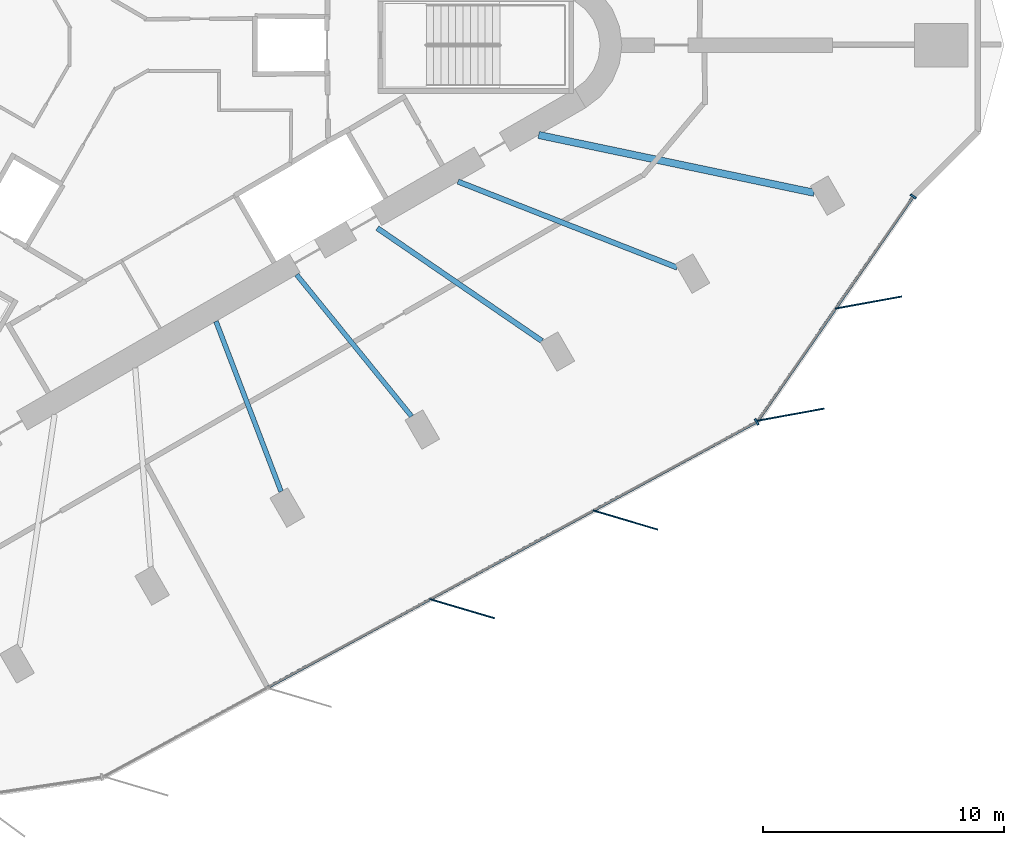
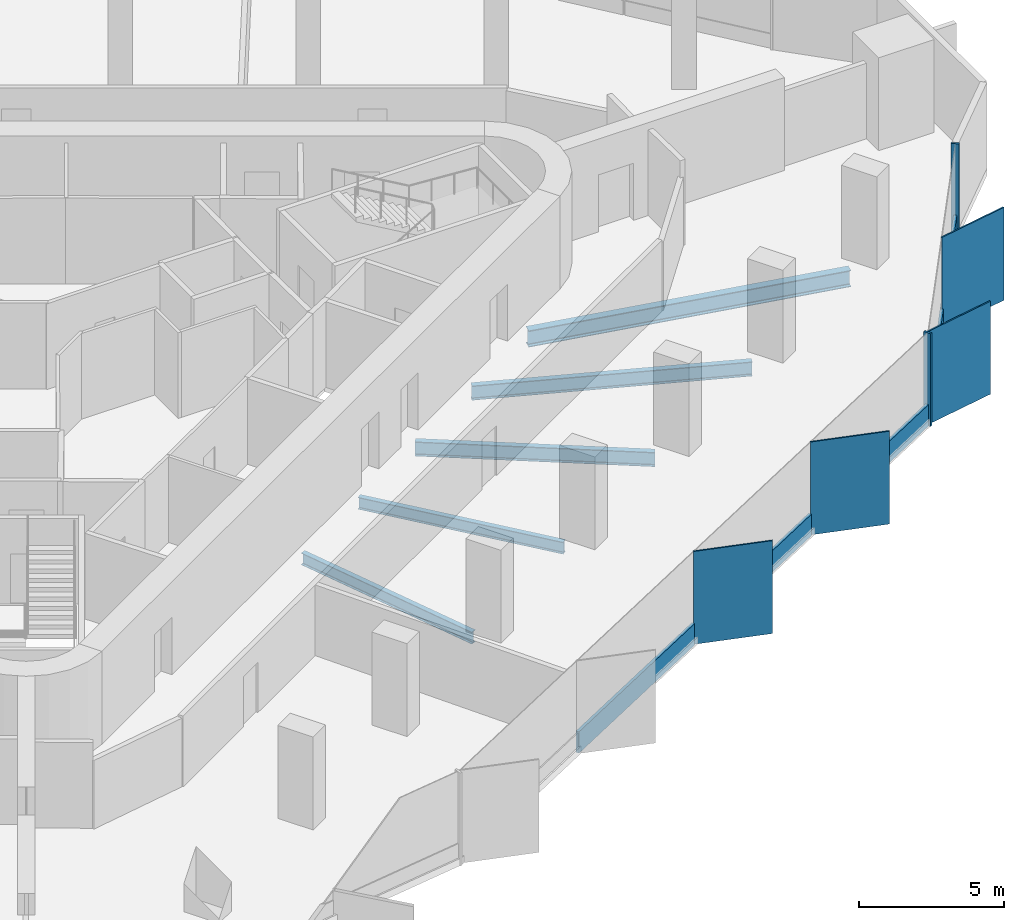
# One storey, part 3 of 13: 11 members, 5 beams, 2 elements without a shape of their own.
"""IFC4 building model written with IfcOpenShell, lengths in metres."""

from ifc_helpers import new_model, si_unit, direction, frame, origin, origin_2d, place, context, subcontext, project, spatial, rectangle, i_section, extrude, material, material_profile, profile_set, type_object, element, aggregate, save


model = new_model("IFC4")

# Units and contexts
model_context = context("Model", 3, precision=1e-05, world=origin(), true_north=direction((0.0, 1.0)))
body_context = subcontext(model_context, "Body", "Model", "MODEL_VIEW")
ifc_project = project(units=[si_unit("LENGTHUNIT", "METRE"), si_unit("AREAUNIT", "SQUARE_METRE"), si_unit("VOLUMEUNIT", "CUBIC_METRE"), si_unit("PLANEANGLEUNIT", "RADIAN"), si_unit("MASSUNIT", "GRAM", prefix="KILO")], contexts=[model_context])

# Site, building, storey
site_placement = place(None, origin())
site = spatial("IfcSite", under=ifc_project, at=site_placement, CompositionType="ELEMENT")
building_placement = place(site_placement, origin())
building = spatial("IfcBuilding", under=site, at=building_placement, Name="Tanit Gate Tower", CompositionType="ELEMENT")
storey_placement = place(building_placement, frame((0.0, 0.0, 326.0)))
storey = spatial("IfcBuildingStorey", under=building, at=storey_placement, Name="L73", CompositionType="ELEMENT", Elevation=326.0)

# Curtain wall, members
ifc_material_1 = material(Name="Aluminium bronze anodised and glass", Category="aluminium")
curtain_wall_type = type_object("IfcCurtainWallType", Name="Curtain wall typical high", PredefinedType="NOTDEFINED", material=ifc_material_1)
curtain_wall_1_placement = place(storey_placement, origin())
curtain_wall_1 = element("IfcCurtainWall", 1, at=curtain_wall_1_placement, inside=storey, type_object=curtain_wall_type, Name="Curtain wall L73 SE2", PredefinedType="NOTDEFINED")
ifc_material_2 = material(Name="Aluminium bronze anodised", Category="aluminium")
ifc_material_profile_1 = material_profile(ifc_material_2, rectangle(XDim=2.800048828125, YDim=0.055908203125, at=origin_2d()), Name="56x2800 bronze fin mullion")
ifc_profile_set_1 = profile_set([ifc_material_profile_1], Name="Aluminium bronze anodised")
member_type_1 = type_object("IfcMemberType", Name="FIN MULLION 56x2800 bronze", PredefinedType="MULLION", material=ifc_profile_set_1)
member_1_placement = place(storey_placement, frame((14.5791015625, -23.3525390625, -0.300048828125), z_axis=(0.0, 0.0, 1.0), x_axis=(-0.958852239174, 0.283905588939, 0.0)))
member_1 = element("IfcMember", 2, at=member_1_placement, type_object=member_type_1, Name="Fin mullion L73 SE2.3", PredefinedType="MULLION", context=body_context, shape_type="SweptSolid", body=[
    extrude(rectangle(XDim=2.800048828125, YDim=0.055908203125, at=origin_2d()), origin(), (0.0, 0.0, 1.0), 3.900146484375),
])
member_2_placement = place(storey_placement, frame((21.343505859375, -19.6787109375, -0.300048828125), z_axis=(0.0, 0.0, 1.0), x_axis=(-0.958852239174, 0.283905588939, 0.0)))
member_2 = element("IfcMember", 3, at=member_2_placement, type_object=member_type_1, Name="Fin mullion L73 SE2.4", PredefinedType="MULLION", context=body_context, shape_type="SweptSolid", body=[
    extrude(rectangle(XDim=2.800048828125, YDim=0.055908203125, at=origin_2d()), origin(), (0.0, 0.0, 1.0), 3.900146484375),
])

curtain_wall_2_placement = place(storey_placement, origin())
curtain_wall_2 = element("IfcCurtainWall", 4, at=curtain_wall_2_placement, inside=storey, type_object=curtain_wall_type, Name="Curtain wall L73 SE3", PredefinedType="NOTDEFINED")
member_3_placement = place(storey_placement, frame((28.2001953125, -15.314208984375, -0.300048828125), z_axis=(0.0, 0.0, 1.0), x_axis=(-0.983865562585, -0.178909347882, 0.0)))
member_3 = element("IfcMember", 5, at=member_3_placement, type_object=member_type_1, Name="Fin mullion L73 SE3.1", PredefinedType="MULLION", context=body_context, shape_type="SweptSolid", body=[
    extrude(rectangle(XDim=2.800048828125, YDim=0.055908203125, at=origin_2d()), origin(), (0.0, 0.0, 1.0), 3.900146484375),
])
member_4_placement = place(storey_placement, frame((31.416015625, -10.669189453125, -0.300048828125), z_axis=(0.0, 0.0, 1.0), x_axis=(-0.983865562585, -0.178909347882, 0.0)))
member_4 = element("IfcMember", 6, at=member_4_placement, type_object=member_type_1, Name="Fin mullion L73 SE3.2", PredefinedType="MULLION", context=body_context, shape_type="SweptSolid", body=[
    extrude(rectangle(XDim=2.800048828125, YDim=0.055908203125, at=origin_2d()), origin(), (0.0, 0.0, 1.0), 3.900146484375),
])

# Member
ifc_material_3 = material(Name="Aluminium bronze anodised", Category="aluminium")
ifc_material_profile_2 = material_profile(ifc_material_3, rectangle(XDim=0.280029296875, YDim=0.080078125, at=origin_2d()), Name="80x280 bronze mullion")
ifc_profile_set_2 = profile_set([ifc_material_profile_2], Name="Aluminium bronze anodised")
member_type_2 = type_object("IfcMemberType", Name="Mullion 80x280 typical high", PredefinedType="MULLION", material=ifc_profile_set_2)
member_5_placement = place(storey_placement, frame((26.784423828125, -15.613037109375, -0.300048828125), z_axis=(0.0, 0.0, 1.0), x_axis=(-0.477259353321, 0.878762487631, 0.0)))
member_5 = element("IfcMember", 7, at=member_5_placement, type_object=member_type_2, Name="Mullion L73 SE2.5", PredefinedType="MULLION", context=body_context, shape_type="SweptSolid", body=[
    extrude(rectangle(XDim=0.280029296875, YDim=0.080078125, at=origin_2d()), origin(), (0.0, 0.0, 1.0), 3.900146484375),
])

member_6_placement = place(storey_placement, frame((33.273681640625, -6.27099609375, -0.300048828125), z_axis=(0.0, 0.0, 1.0), x_axis=(-0.822206024185, 0.569189997974, 0.0)))
member_6 = element("IfcMember", 8, at=member_6_placement, type_object=member_type_2, Name="Mullion L73 SE3.3", PredefinedType="MULLION", context=body_context, shape_type="SweptSolid", body=[
    extrude(rectangle(XDim=0.280029296875, YDim=0.080078125, at=origin_2d()), origin(), (0.0, 0.0, 1.0), 3.900146484375),
])

# Beams
ifc_material_4 = material(Name="Steel S355", Category="steel")
ifc_material_profile_3 = material_profile(ifc_material_4, i_section(OverallWidth=0.300048828125, OverallDepth=0.68994140625, WebThickness=0.014404296875, FlangeThickness=0.027099609375, FilletRadius=0.027099609375, at=origin_2d()), Name="HEA 700")
ifc_profile_set_3 = profile_set([ifc_material_profile_3], Name="Steel S355")
beam_type_1 = type_object("IfcBeamType", Name="RADIAL GIRDER HEA 700 S355", PredefinedType="BEAM", material=ifc_profile_set_3)
beam_1_placement = place(storey_placement, frame((29.166015625, -6.119873046875, -0.64501953125), z_axis=(-0.978685947047, 0.205362647655, 0.0), x_axis=(-0.205362647655, -0.978685947047, 0.0)))
element("IfcBeam", 9, at=beam_1_placement, inside=storey, type_object=beam_type_1, Name="RADIAL GIRDER", PredefinedType="BEAM", context=body_context, shape_type="SweptSolid", body=[
    extrude(i_section(OverallWidth=0.300048828125, OverallDepth=0.68994140625, WebThickness=0.014404296875, FlangeThickness=0.027099609375, FilletRadius=0.027099609375, at=origin_2d()), origin(), (0.0, 0.0, 1.0), 11.662353515625),
])
ifc_material_5 = material(Name="Steel S355", Category="steel")
ifc_material_profile_4 = material_profile(ifc_material_5, i_section(OverallWidth=0.199951171875, OverallDepth=0.5, WebThickness=0.01025390625, FlangeThickness=0.01611328125, FilletRadius=0.02099609375, at=origin_2d()), Name="IPE 500")
ifc_profile_set_4 = profile_set([ifc_material_profile_4], Name="Steel S355")
beam_type_2 = type_object("IfcBeamType", Name="RADIAL GIRDER IPE 500 S355", PredefinedType="BEAM", material=ifc_profile_set_4)
for number, where, z_axis, x_axis, name in (
    (10, (7.07958984375, -18.502685546875, -0.550048828125), (-0.357365465254, 0.93396462687, 0.0), (-0.93396462687, -0.357365465254, 0.0), "RADIAL GIRDER"),
    (11, (12.484130859375, -15.38232421875, -0.550048828125), (-0.630160700976, 0.776464739023, 0.0), (-0.776464739023, -0.630160700976, 0.0), "RADIAL GIRDER"),
):
    element("IfcBeam", number, at=place(storey_placement, frame(where, z_axis=z_axis, x_axis=x_axis)), inside=storey, type_object=beam_type_2, Name=name, PredefinedType="BEAM", context=body_context, shape_type="SweptSolid", body=[
        extrude(i_section(OverallWidth=0.199951171875, OverallDepth=0.5, WebThickness=0.01025390625, FlangeThickness=0.01611328125, FilletRadius=0.02099609375, at=origin_2d()), origin(), (0.0, 0.0, 1.0), 7.555908203125),
    ])
ifc_material_6 = material(Name="Steel S355", Category="steel")
ifc_material_profile_5 = material_profile(ifc_material_6, i_section(OverallWidth=0.219970703125, OverallDepth=0.60009765625, WebThickness=0.011962890625, FlangeThickness=0.01904296875, FilletRadius=0.02392578125, at=origin_2d()), Name="IPE 600")
ifc_profile_set_5 = profile_set([ifc_material_profile_5], Name="Steel S355")
beam_type_3 = type_object("IfcBeamType", Name="RADIAL GIRDER IPE 600 S355", PredefinedType="BEAM", material=ifc_profile_set_5)
beam_2_placement = place(storey_placement, frame((17.888671875, -12.26220703125, -0.60009765625), z_axis=(-0.824811044423, 0.565408472698, 0.0), x_axis=(-0.565408472698, -0.824811044423, 0.0)))
element("IfcBeam", 12, at=beam_2_placement, inside=storey, type_object=beam_type_3, Name="RADIAL GIRDER", PredefinedType="BEAM", context=body_context, shape_type="SweptSolid", body=[
    extrude(i_section(OverallWidth=0.219970703125, OverallDepth=0.60009765625, WebThickness=0.011962890625, FlangeThickness=0.01904296875, FilletRadius=0.02392578125, at=origin_2d()), origin(), (0.0, 0.0, 1.0), 8.27197265625),
])
beam_3_placement = place(storey_placement, frame((23.4921875, -9.219970703125, -0.60009765625), z_axis=(-0.930869443065, 0.365351994614, 0.0), x_axis=(-0.365351994614, -0.930869443065, 0.0)))
element("IfcBeam", 13, at=beam_3_placement, inside=storey, type_object=beam_type_3, Name="RADIAL GIRDER", PredefinedType="BEAM", context=body_context, shape_type="SweptSolid", body=[
    extrude(i_section(OverallWidth=0.219970703125, OverallDepth=0.60009765625, WebThickness=0.011962890625, FlangeThickness=0.01904296875, FilletRadius=0.02392578125, at=origin_2d()), origin(), (0.0, 0.0, 1.0), 9.757568359375),
])

# Member
ifc_material_7 = material(Name="Aluminium bronze anodised", Category="aluminium")
ifc_material_profile_6 = material_profile(ifc_material_7, rectangle(XDim=0.1201171875, YDim=0.89990234375, at=origin_2d()), Name="120x900 bronze transom")
ifc_profile_set_6 = profile_set([ifc_material_profile_6], Name="Aluminium bronze anodised")
member_type_3 = type_object("IfcMemberType", Name="Transom 120x900 typical high", PredefinedType="USERDEFINED", material=ifc_profile_set_6)
member_7_placement = place(storey_placement, frame((6.5263671875, -26.615234375, 0.14990234375), z_axis=(0.878767412966, 0.477250284346, 0.0), x_axis=(-0.477250284346, 0.878767412966, 0.0)))
member_7 = element("IfcMember", 14, at=member_7_placement, type_object=member_type_3, Name="Transom L73 SE2.2", ObjectType="TRANSOM", PredefinedType="USERDEFINED", context=body_context, shape_type="SweptSolid", body=[
    extrude(rectangle(XDim=0.1201171875, YDim=0.89990234375, at=origin_2d()), origin(), (0.0, 0.0, 1.0), 7.61767578125),
])

member_8_placement = place(storey_placement, frame((13.290771484375, -22.94140625, 0.14990234375), z_axis=(0.878767412966, 0.477250284346, 0.0), x_axis=(-0.477250284346, 0.878767412966, 0.0)))
member_8 = element("IfcMember", 15, at=member_8_placement, type_object=member_type_3, Name="Transom L73 SE2.3", ObjectType="TRANSOM", PredefinedType="USERDEFINED", context=body_context, shape_type="SweptSolid", body=[
    extrude(rectangle(XDim=0.1201171875, YDim=0.89990234375, at=origin_2d()), origin(), (0.0, 0.0, 1.0), 7.61767578125),
])

member_9_placement = place(storey_placement, frame((20.05517578125, -19.267822265625, 0.14990234375), z_axis=(0.878767412966, 0.477250284346, 0.0), x_axis=(-0.477250284346, 0.878767412966, 0.0)))
member_9 = element("IfcMember", 16, at=member_9_placement, type_object=member_type_3, Name="Transom L73 SE2.4", ObjectType="TRANSOM", PredefinedType="USERDEFINED", context=body_context, shape_type="SweptSolid", body=[
    extrude(rectangle(XDim=0.1201171875, YDim=0.89990234375, at=origin_2d()), origin(), (0.0, 0.0, 1.0), 7.61767578125),
])

aggregate(curtain_wall_1, [member_1, member_2, member_5, member_7, member_8, member_9])

member_10_placement = place(storey_placement, frame((26.864990234375, -15.5283203125, 0.14990234375), z_axis=(0.569191743514, 0.822204815794, 0.0), x_axis=(-0.822204815794, 0.569191743514, 0.0)))
member_10 = element("IfcMember", 17, at=member_10_placement, type_object=member_type_3, Name="Transom L73 SE3.1", ObjectType="TRANSOM", PredefinedType="USERDEFINED", context=body_context, shape_type="SweptSolid", body=[
    extrude(rectangle(XDim=0.1201171875, YDim=0.89990234375, at=origin_2d()), origin(), (0.0, 0.0, 1.0), 5.569580078125),
])

member_11_placement = place(storey_placement, frame((30.080810546875, -10.883056640625, 0.14990234375), z_axis=(0.569212258307, 0.82219061354, 0.0), x_axis=(-0.82219061354, 0.569212258307, 0.0)))
member_11 = element("IfcMember", 18, at=member_11_placement, type_object=member_type_3, Name="Transom L73 SE3.2", ObjectType="TRANSOM", PredefinedType="USERDEFINED", context=body_context, shape_type="SweptSolid", body=[
    extrude(rectangle(XDim=0.1201171875, YDim=0.89990234375, at=origin_2d()), origin(), (0.0, 0.0, 1.0), 5.5693359375),
])

aggregate(curtain_wall_2, [member_3, member_4, member_6, member_10, member_11])

save(model, "model.ifc")
